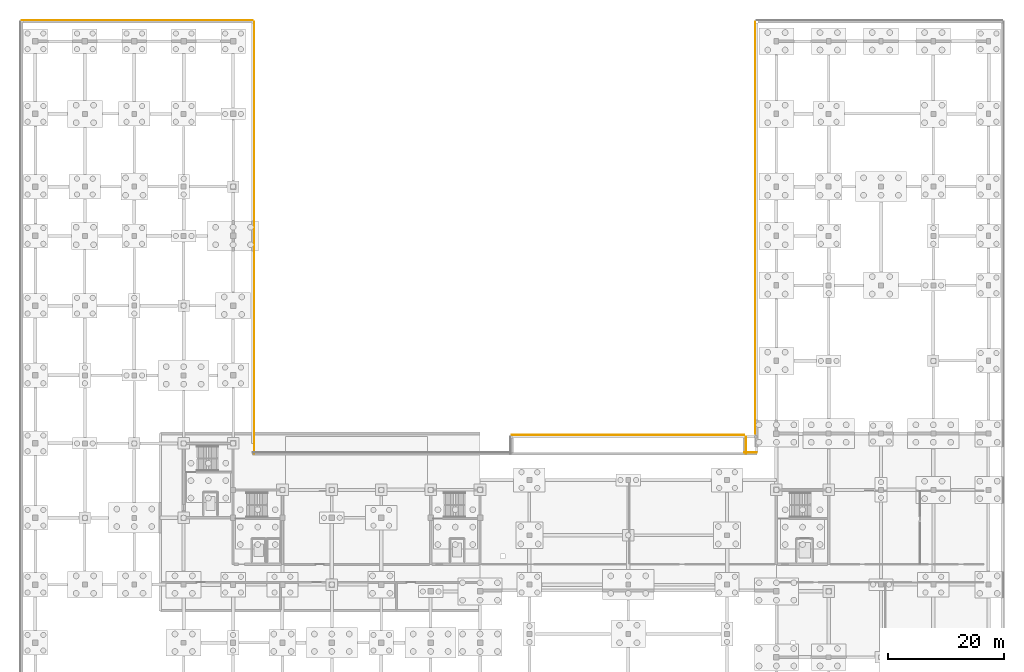
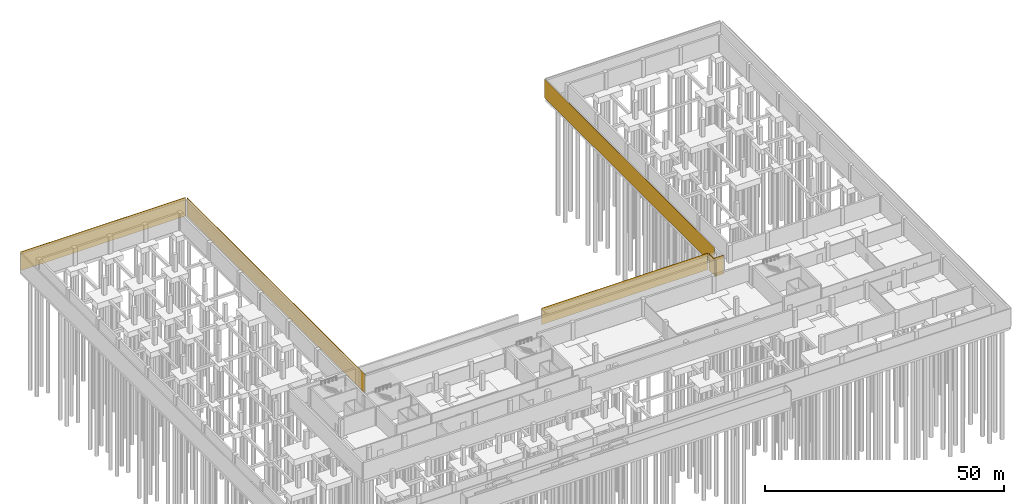
# One storey, part 21 of 25: 6 coverings.
"""IFC4 building model written with IfcOpenShell, lengths in metres."""

from ifc_helpers import new_model, si_unit, direction, frame, origin, origin_2d, place, context, subcontext, project, spatial, rectangle, extrude, material, layer, layer_set, type_object, element, save


model = new_model("IFC4")

# Units and contexts
model_context = context("Model", 3, precision=1e-05, world=origin(), true_north=direction((0.0, 1.0)))
body_context = subcontext(model_context, "Body", "Model", "MODEL_VIEW")
ifc_project = project(units=[si_unit("LENGTHUNIT", "METRE"), si_unit("AREAUNIT", "SQUARE_METRE"), si_unit("VOLUMEUNIT", "CUBIC_METRE"), si_unit("PLANEANGLEUNIT", "RADIAN"), si_unit("MASSUNIT", "GRAM", prefix="KILO")], contexts=[model_context])

# Site, building, storey
site_placement = place(None, origin())
site = spatial("IfcSite", under=ifc_project, at=site_placement, CompositionType="ELEMENT")
building_placement = place(site_placement, origin())
building = spatial("IfcBuilding", under=site, at=building_placement, Name="Solvikara Media Centre", CompositionType="ELEMENT")
storey_placement = place(building_placement, frame((0.0, 0.0, -4.800048828125)))
storey = spatial("IfcBuildingStorey", under=building, at=storey_placement, Name="B01", CompositionType="ELEMENT", Elevation=-4.800048828125)

# Coverings
ifc_material = material(Name="Reconstituted pale limestone flood-plinth cladding", Category="masonry")
ifc_layer = layer(ifc_material, 0.06005859375)
ifc_layer_set = layer_set([ifc_layer], Name="Reconstituted pale limestone flood-plinth cladding")
covering_type = type_object("IfcCoveringType", Name="CV-05", PredefinedType="CLADDING", material=ifc_layer_set)
covering_1_placement = place(storey_placement, frame((17.5, 117.635009765625, 0.0), z_axis=(0.0, 0.0, 1.0), x_axis=(1.0, 0.0, 0.0)))
element("IfcCovering", 1, at=covering_1_placement, inside=storey, type_object=covering_type, Name="PLN-NWW", PredefinedType="CLADDING", context=body_context, shape_type="SweptSolid", body=[
    extrude(rectangle(XDim=39.760009765625, YDim=0.06005859375, at=origin_2d()), origin(), (0.0, 0.0, 1.0), 4.800048828125),
])
covering_2_placement = place(storey_placement, frame((37.635009765625, 80.18994140625, 0.0), z_axis=(0.0, 0.0, 1.0), x_axis=(0.0, 1.0, 0.0)))
element("IfcCovering", 2, at=covering_2_placement, inside=storey, type_object=covering_type, Name="PLN-CNLW", PredefinedType="CLADDING", context=body_context, shape_type="SweptSolid", body=[
    extrude(rectangle(XDim=74.3798828125, YDim=0.06005859375, at=origin_2d()), origin(), (0.0, 0.0, 1.0), 4.800048828125),
])
covering_3_placement = place(storey_placement, frame((102.0, 46.235107421875, 0.0), z_axis=(0.0, 0.0, 1.0), x_axis=(1.0, 0.0, 0.0)))
element("IfcCovering", 3, at=covering_3_placement, inside=storey, type_object=covering_type, Name="PLN-QUAYN", PredefinedType="CLADDING", context=body_context, shape_type="SweptSolid", body=[
    extrude(rectangle(XDim=40.0, YDim=0.06005859375, at=origin_2d()), origin(), (0.0, 0.0, 1.0), 4.199951171875),
])
covering_4_placement = place(storey_placement, frame((122.2548828125, 44.489990234375, 0.0), z_axis=(0.0, 0.0, 1.0), x_axis=(0.0, 1.0, 0.0)))
element("IfcCovering", 4, at=covering_4_placement, inside=storey, type_object=covering_type, Name="PLN-QUAYE", PredefinedType="CLADDING", context=body_context, shape_type="SweptSolid", body=[
    extrude(rectangle(XDim=2.97998046875, YDim=0.06005859375, at=origin_2d()), origin(), (0.0, 0.0, 1.0), 4.199951171875),
])
covering_5_placement = place(storey_placement, frame((123.06005859375, 43.2548828125, 0.0), z_axis=(0.0, 0.0, 1.0), x_axis=(1.0, 0.0, 0.0)))
element("IfcCovering", 5, at=covering_5_placement, inside=storey, type_object=covering_type, Name="PLN-PASNE", PredefinedType="CLADDING", context=body_context, shape_type="SweptSolid", body=[
    extrude(rectangle(XDim=2.1201171875, YDim=0.06005859375, at=origin_2d()), origin(), (0.0, 0.0, 1.0), 4.800048828125),
])
covering_6_placement = place(storey_placement, frame((123.864990234375, 81.93994140625, 0.0), z_axis=(0.0, 0.0, 1.0), x_axis=(0.0, 1.0, 0.0)))
element("IfcCovering", 6, at=covering_6_placement, inside=storey, type_object=covering_type, Name="PLN-CNLE", PredefinedType="CLADDING", context=body_context, shape_type="SweptSolid", body=[
    extrude(rectangle(XDim=70.8798828125, YDim=0.06005859375, at=origin_2d()), origin(), (0.0, 0.0, 1.0), 4.800048828125),
])

save(model, "model.ifc")
